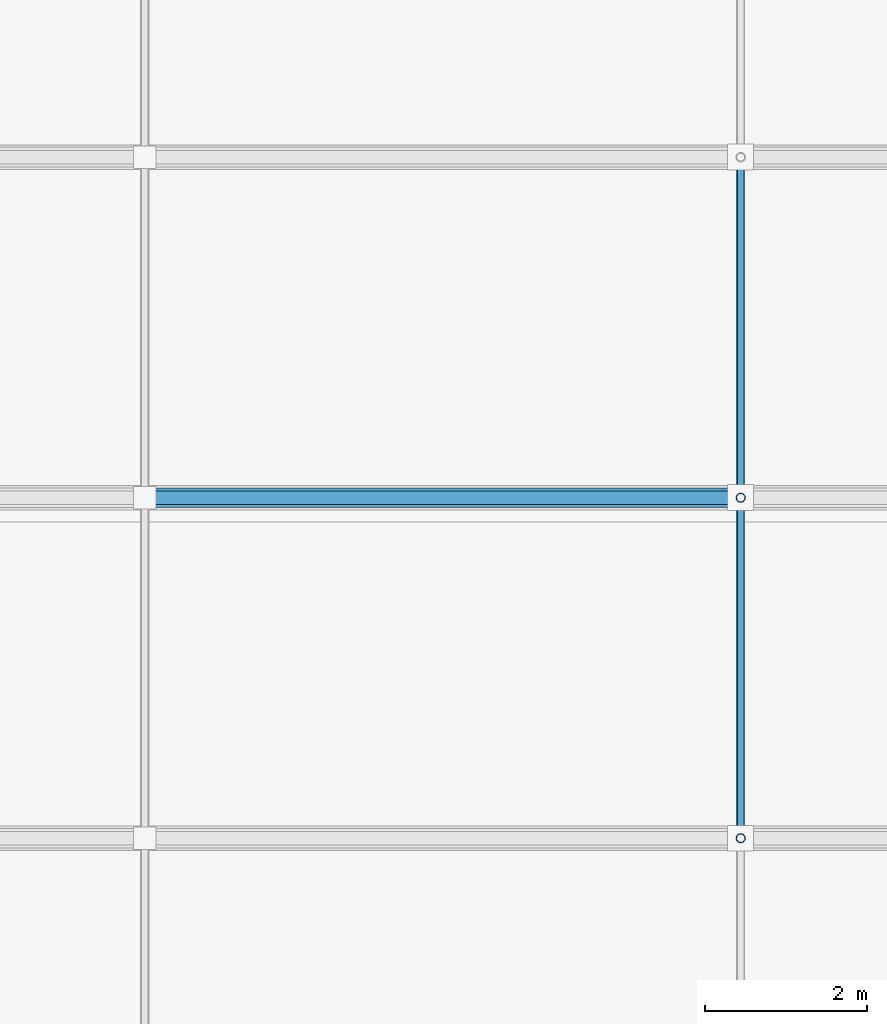
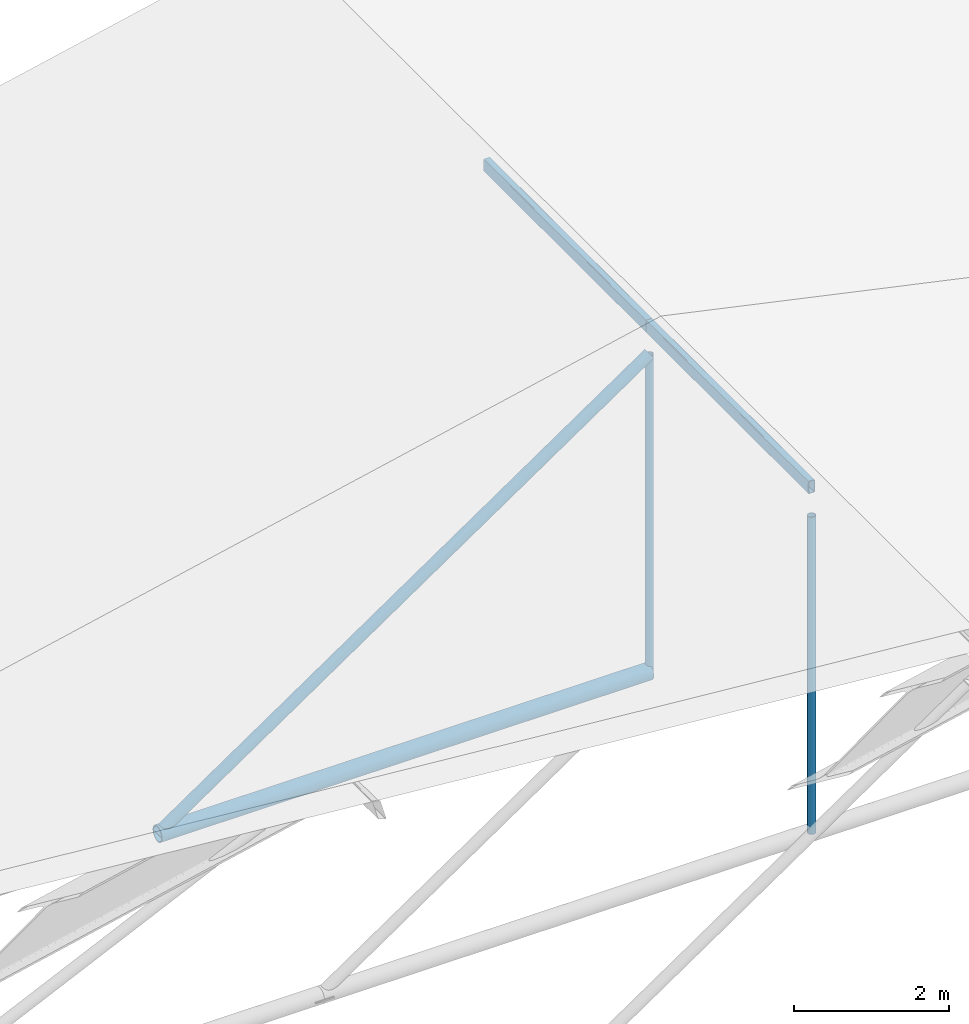
# One storey, part 19 of 60: 6 members.
"""IFC4 building model written with IfcOpenShell, lengths in metres."""

import ifcopenshell
import ifcopenshell.guid

model = None  # the IFC model being written
_history = None  # IfcOwnerHistory: only IFC2X3 demands one
_inside = {}  # id of a spatial element -> (the spatial element, [elements in it])
_under = {}  # id of a project, library or spatial element -> (it, [spatial elements below it])
_declared = {}  # id of a project -> (the project, [libraries it declares])
_typed = {}  # id of a type object -> (the type object, [elements of that type])
_made_of = {}  # id of a material, layer set ... -> (it, [elements and type objects made of it])


def new_model(schema):
    """Start an empty IFC model of exactly this schema.

    Asked for "IFC4X3", IfcOpenShell would pick the latest addendum, in which some entities
    have other attributes; the version numbers below select the first issue.
    IFC2X3 requires an IfcOwnerHistory on every rooted entity: one is made here for all.
    """
    global model, _history
    if schema == "IFC4X3":
        model = ifcopenshell.file(schema_version=(4, 3, 0, 0))
    else:
        model = ifcopenshell.file(schema=schema)
    _inside.clear()
    _under.clear()
    _declared.clear()
    _typed.clear()
    _made_of.clear()
    _history = None
    if model.schema == "IFC2X3":
        org = make("IfcOrganization", Name="unknown")
        user = make(
            "IfcPersonAndOrganization",
            ThePerson=make("IfcPerson", FamilyName="unknown"),
            TheOrganization=org,
        )
        app = make(
            "IfcApplication",
            ApplicationDeveloper=org,
            Version="unknown",
            ApplicationFullName="unknown",
            ApplicationIdentifier="unknown",
        )
        _history = make(
            "IfcOwnerHistory",
            OwningUser=user,
            OwningApplication=app,
            ChangeAction="ADDED",
            CreationDate=0,
        )
    return model


def make(cls, **values):
    """One entity of the class cls with the attributes given. An attribute that is None is left unset."""
    return model.create_entity(
        cls, **{name: value for name, value in values.items() if value is not None}
    )


def rooted(cls, **values):
    """An entity with a GlobalId (a new one), such as an element, a storey or a relation."""
    return make(cls, GlobalId=ifcopenshell.guid.new(), OwnerHistory=_history, **values)


def si_unit(unit_type, name, prefix=None):
    """IfcSIUnit, for example si_unit("LENGTHUNIT", "METRE", prefix="MILLI")."""
    return make("IfcSIUnit", UnitType=unit_type, Prefix=prefix, Name=name)


def assignment(units):
    """IfcUnitAssignment: the units of a project."""
    return None if units is None else make("IfcUnitAssignment", Units=units)


def point(xyz):
    """IfcCartesianPoint."""
    return None if xyz is None else make("IfcCartesianPoint", Coordinates=xyz)


def direction(xyz):
    """IfcDirection."""
    return None if xyz is None else make("IfcDirection", DirectionRatios=xyz)


def frame(location, z_axis=None, x_axis=None):
    """IfcAxis2Placement3D, a coordinate frame: its origin and axes. An axis left out is left unset."""
    return make(
        "IfcAxis2Placement3D",
        Location=point(location),
        Axis=direction(z_axis),
        RefDirection=direction(x_axis),
    )


def frame_2d(location, x_axis=None):
    """IfcAxis2Placement2D, a coordinate frame in the plane: its origin and x axis."""
    return make(
        "IfcAxis2Placement2D", Location=point(location), RefDirection=direction(x_axis)
    )


def origin():
    """The frame at (0, 0, 0) with its axes left unset."""
    return frame((0.0, 0.0, 0.0))


def origin_2d():
    """The frame at (0, 0) in the plane with its x axis left unset."""
    return frame_2d((0.0, 0.0))


def place(relative_to, where):
    """IfcLocalPlacement: puts the frame where relative to a parent placement (None: the world)."""
    return make(
        "IfcLocalPlacement", PlacementRelTo=relative_to, RelativePlacement=where
    )


def context(
    kind, dimensions, precision=None, world=None, true_north=None, identifier=None
):
    """IfcGeometricRepresentationContext, for example the 3D "Model" context."""
    return make(
        "IfcGeometricRepresentationContext",
        ContextIdentifier=identifier,
        ContextType=kind,
        CoordinateSpaceDimension=dimensions,
        Precision=precision,
        WorldCoordinateSystem=world,
        TrueNorth=true_north,
    )


def subcontext(parent, identifier, kind, view, scale=None):
    """IfcGeometricRepresentationSubContext, for example "Body" below "Model"."""
    return make(
        "IfcGeometricRepresentationSubContext",
        ContextIdentifier=identifier,
        ContextType=kind,
        ParentContext=parent,
        TargetScale=scale,
        TargetView=view,
    )


def project(units=None, contexts=None):
    """IfcProject with its units and contexts."""
    return rooted(
        "IfcProject",
        Name="project",
        RepresentationContexts=contexts,
        UnitsInContext=assignment(units),
    )


def spatial(cls, under=None, at=None, **own):
    """A site, building, storey or space (cls), placed at a placement, below another one or the project."""
    s = rooted(cls, ObjectPlacement=at, **own)
    if under is not None:
        _under.setdefault(under.id(), (under, []))[1].append(s)
    return s


def profile(cls, at=None, kind="AREA", **sizes):
    """A parametric profile (cls). Its sizes go by their IFC names, for example OverallWidth=200.0."""
    return make(cls, ProfileType=kind, Position=at, **sizes)


def hollow_rectangle(**sizes):
    """IfcRectangleHollowProfileDef."""
    return profile("IfcRectangleHollowProfileDef", **sizes)


def hollow_circle(**sizes):
    """IfcCircleHollowProfileDef."""
    return profile("IfcCircleHollowProfileDef", **sizes)


def extrude(swept, where, along, depth):
    """IfcExtrudedAreaSolid: the profile swept, set in the frame where, extruded along a direction by depth."""
    return make(
        "IfcExtrudedAreaSolid",
        SweptArea=swept,
        Position=where,
        ExtrudedDirection=direction(along),
        Depth=depth,
    )


def shape(context_of_items, identifier, shape_type, items):
    """IfcShapeRepresentation: the items that make up one representation, for example the "Body"."""
    return make(
        "IfcShapeRepresentation",
        ContextOfItems=context_of_items,
        RepresentationIdentifier=identifier,
        RepresentationType=shape_type,
        Items=items,
    )


def material(Name=None, Category=None):
    """IfcMaterial."""
    return make("IfcMaterial", Name=Name, Category=Category)


def material_profile(
    of_material, cross_section, Name=None, Category=None, Priority=None
):
    """IfcMaterialProfile: a cross section and its material."""
    return make(
        "IfcMaterialProfile",
        Name=Name,
        Material=of_material,
        Profile=cross_section,
        Priority=Priority,
        Category=Category,
    )


def profile_set(profiles, Name=None, composite=None):
    """IfcMaterialProfileSet."""
    return make(
        "IfcMaterialProfileSet",
        Name=Name,
        MaterialProfiles=profiles,
        CompositeProfile=composite,
    )


def made_of(thing, what):
    """Note that an element or type object is made of a material, layer set ...; save() writes the relation."""
    if what is not None:
        _made_of.setdefault(what.id(), (what, []))[1].append(thing)
    return thing


def type_object(cls, material=None, **own):
    """A type object (cls), such as IfcWallType, which elements share."""
    return made_of(rooted(cls, **own), material)


def element(
    cls,
    number,
    at=None,
    inside=None,
    cuts=None,
    type_object=None,
    material=None,
    context=None,
    identifier="Body",
    shape_type=None,
    held_by="IfcProductDefinitionShape",
    body=None,
    shapes=None,
    **own,
):
    """One element of the class cls, such as IfcWall. Its Tag is "e" and its number.

    at: its placement. inside: the storey or other place that contains it. cuts: it is an
    opening in that element (IfcRelVoidsElement). A single representation is given by context,
    identifier, shape_type and body (its items); several are given by shapes. held_by: the class
    of the entity that holds the representations. save() writes the other relations.
    """
    e = rooted(cls, Tag="e%d" % number, ObjectPlacement=at, **own)
    if body is not None:
        shapes = [shape(context, identifier, shape_type, body)]
    if shapes is not None:
        e.Representation = make(held_by, Representations=shapes)
    if inside is not None:
        _inside.setdefault(inside.id(), (inside, []))[1].append(e)
    if cuts is not None:
        rooted(
            "IfcRelVoidsElement", RelatingBuildingElement=cuts, RelatedOpeningElement=e
        )
    if type_object is not None:
        _typed.setdefault(type_object.id(), (type_object, []))[1].append(e)
    return made_of(e, material)


def aggregate(whole, parts):
    """IfcRelAggregates: a whole, such as a stair, and the parts it consists of."""
    return rooted("IfcRelAggregates", RelatingObject=whole, RelatedObjects=parts)


def save(model, path):
    """Write the relations noted so far, then the file.

    IfcRelAggregates (storeys below a building ...), IfcRelContainedInSpatialStructure (elements
    in a storey), IfcRelDefinesByType, IfcRelAssociatesMaterial and IfcRelDeclares: one each for
    every whole, place, type object, material and project.
    """
    for whole, parts in _under.values():
        aggregate(whole, parts)
    for where, things in _inside.values():
        rooted(
            "IfcRelContainedInSpatialStructure",
            RelatedElements=things,
            RelatingStructure=where,
        )
    for kind, things in _typed.values():
        rooted("IfcRelDefinesByType", RelatedObjects=things, RelatingType=kind)
    for what, things in _made_of.values():
        rooted("IfcRelAssociatesMaterial", RelatedObjects=things, RelatingMaterial=what)
    for by, libraries in _declared.values():
        rooted("IfcRelDeclares", RelatingContext=by, RelatedDefinitions=libraries)
    model.write(path)


model = new_model("IFC4")

# Units and contexts
model_context = context("Model", 3, precision=1e-05, world=origin(), true_north=direction((0.0, 1.0)))
body_context = subcontext(model_context, "Body", "Model", "MODEL_VIEW")
ifc_project = project(units=[si_unit("LENGTHUNIT", "METRE"), si_unit("AREAUNIT", "SQUARE_METRE"), si_unit("VOLUMEUNIT", "CUBIC_METRE"), si_unit("PLANEANGLEUNIT", "RADIAN"), si_unit("MASSUNIT", "GRAM", prefix="KILO")], contexts=[model_context])

# Site, building, storey
site_placement = place(None, origin())
site = spatial("IfcSite", under=ifc_project, at=site_placement, CompositionType="ELEMENT")
building_placement = place(site_placement, origin())
building = spatial("IfcBuilding", under=site, at=building_placement, Name="Nakhvara Creek Congress Hotel", CompositionType="ELEMENT")
storey_placement = place(building_placement, frame((0.0, 0.0, 54.60009765625)))
storey = spatial("IfcBuildingStorey", under=building, at=storey_placement, Name="RL1", CompositionType="ELEMENT", Elevation=54.60009765625)

# Members
ifc_material = material(Name="Steel S355J2H", Category="steel")
ifc_material_profile_1 = material_profile(ifc_material, hollow_circle(Radius=0.084228515625, WallThickness=0.008056640625, at=origin_2d()), Name="CHS 168.3x8.0", Category="LoadBearing")
ifc_profile_set_1 = profile_set([ifc_material_profile_1], Name="Steel S355J2H")
member_type_1 = type_object("IfcMemberType", Name="MEM-BRC-CHS168", PredefinedType="BRACE", material=ifc_profile_set_1)
member_1_placement = place(storey_placement, frame((19.050048828125, 116.39990234375, -41.89013671875), z_axis=(0.826292954583, 0.0, 0.563240581996), x_axis=(0.0, 1.0, 0.0)))
element("IfcMember", 1, at=member_1_placement, inside=storey, type_object=member_type_1, Name="Ballroom Roof Truss Web Brace 07.3", PredefinedType="BRACE", context=body_context, shape_type="SweptSolid", body=[
    extrude(hollow_circle(Radius=0.084228515625, WallThickness=0.008056640625, at=origin_2d()), origin(), (0.0, 0.0, 1.0), 8.89501953125),
])
ifc_material_profile_2 = material_profile(ifc_material, hollow_circle(Radius=0.122314453125, WallThickness=0.012451171875, at=origin_2d()), Name="CHS 244.5x12.5", Category="LoadBearing")
ifc_profile_set_2 = profile_set([ifc_material_profile_2], Name="Steel S355J2H")
member_type_2 = type_object("IfcMemberType", Name="MEM-CHD-CHS244", PredefinedType="CHORD", material=ifc_profile_set_2)
member_2_placement = place(storey_placement, frame((19.050048828125, 116.39990234375, -41.89013671875), z_axis=(1.0, 0.0, 0.0), x_axis=(0.0, 1.0, 0.0)))
element("IfcMember", 2, at=member_2_placement, inside=storey, type_object=member_type_2, Name="Ballroom Roof Truss Bottom Chord 07.3", PredefinedType="CHORD", context=body_context, shape_type="SweptSolid", body=[
    extrude(hollow_circle(Radius=0.122314453125, WallThickness=0.012451171875, at=origin_2d()), origin(), (0.0, 0.0, 1.0), 7.349853515625),
])
ifc_material_profile_3 = material_profile(ifc_material, hollow_rectangle(XDim=0.10009765625, YDim=0.199951171875, WallThickness=0.008056640625, InnerFilletRadius=0.008056640625, OuterFilletRadius=0.01611328125, at=origin_2d()), Name="RHS 200x100x8.0", Category="LoadBearing")
ifc_profile_set_3 = profile_set([ifc_material_profile_3], Name="Steel S355J2H")
member_type_3 = type_object("IfcMemberType", Name="MEM-PUR-RHS200", PredefinedType="PURLIN", material=ifc_profile_set_3)
member_3_placement = place(storey_placement, frame((26.39990234375, 112.199951171875, -36.433837890625), z_axis=(0.0, 1.0, 0.0), x_axis=(-1.0, 0.0, 0.0)))
element("IfcMember", 3, at=member_3_placement, inside=storey, type_object=member_type_3, Name="Ballroom Roof Purlin 4.6", PredefinedType="PURLIN", context=body_context, shape_type="SweptSolid", body=[
    extrude(hollow_rectangle(XDim=0.10009765625, YDim=0.199951171875, WallThickness=0.008056640625, InnerFilletRadius=0.008056640625, OuterFilletRadius=0.01611328125, at=origin_2d()), origin(), (0.0, 0.0, 1.0), 4.199951171875),
])
member_4_placement = place(storey_placement, frame((26.39990234375, 116.39990234375, -36.433837890625), z_axis=(0.0, 1.0, 0.0), x_axis=(-1.0, 0.0, 0.0)))
element("IfcMember", 4, at=member_4_placement, inside=storey, type_object=member_type_3, Name="Ballroom Roof Purlin 4.7", PredefinedType="PURLIN", context=body_context, shape_type="SweptSolid", body=[
    extrude(hollow_rectangle(XDim=0.10009765625, YDim=0.199951171875, WallThickness=0.008056640625, InnerFilletRadius=0.008056640625, OuterFilletRadius=0.01611328125, at=origin_2d()), origin(), (0.0, 0.0, 1.0), 4.2001953125),
])
ifc_material_profile_4 = material_profile(ifc_material, hollow_circle(Radius=0.05712890625, WallThickness=0.00634765625, at=origin_2d()), Name="CHS 114.3x6.3", Category="LoadBearing")
ifc_profile_set_4 = profile_set([ifc_material_profile_4], Name="Steel S355J2H")
member_type_4 = type_object("IfcMemberType", Name="MEM-STR-CHS114", PredefinedType="STRUT", material=ifc_profile_set_4)
for number, where, z_axis, x_axis, name in (
    (5, (26.39990234375, 112.199951171875, -41.89013671875), (0.0, 0.0, 1.0), (1.0, 0.0, 0.0), "Ballroom Roof Truss King-Post 06"),
    (6, (26.39990234375, 116.39990234375, -41.89013671875), (0.0, 0.0, 1.0), (1.0, 0.0, 0.0), "Ballroom Roof Truss King-Post 07"),
):
    element("IfcMember", number, at=place(storey_placement, frame(where, z_axis=z_axis, x_axis=x_axis)), inside=storey, type_object=member_type_4, Name=name, PredefinedType="STRUT", context=body_context, shape_type="SweptSolid", body=[
        extrude(hollow_circle(Radius=0.05712890625, WallThickness=0.00634765625, at=origin_2d()), origin(), (0.0, 0.0, 1.0), 5.010009765625),
    ])

save(model, "model.ifc")
